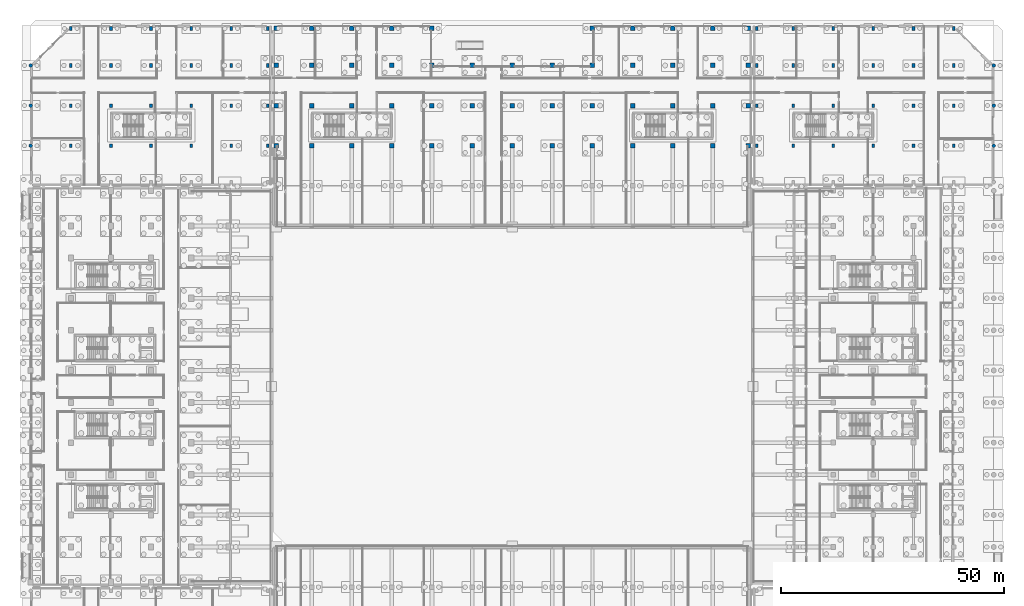
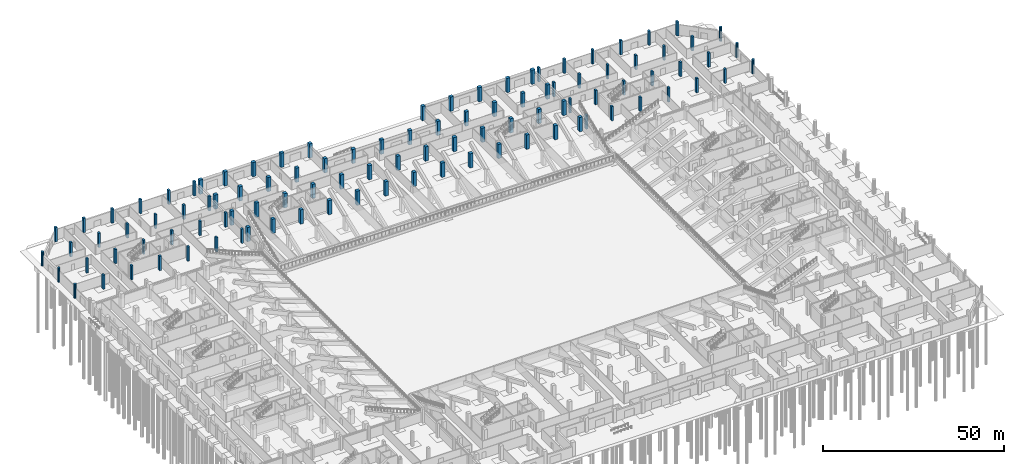
# One storey, part 10 of 53: 103 columns.
"""IFC4 building model written with IfcOpenShell, lengths in metres."""

from ifc_helpers import new_model, si_unit, direction, frame, origin, origin_2d, place, context, subcontext, project, spatial, rectangle, circle, extrude, material, material_profile, profile_set, type_object, element, save


model = new_model("IFC4")

# Units and contexts
model_context = context("Model", 3, precision=1e-05, world=origin(), true_north=direction((0.0, 1.0)))
body_context = subcontext(model_context, "Body", "Model", "MODEL_VIEW")
ifc_project = project(units=[si_unit("LENGTHUNIT", "METRE"), si_unit("AREAUNIT", "SQUARE_METRE"), si_unit("VOLUMEUNIT", "CUBIC_METRE"), si_unit("PLANEANGLEUNIT", "RADIAN"), si_unit("MASSUNIT", "GRAM", prefix="KILO"), si_unit("THERMODYNAMICTEMPERATUREUNIT", "KELVIN"), si_unit("POWERUNIT", "WATT")], contexts=[model_context])

# Site, building, storey
site_placement = place(None, origin())
site = spatial("IfcSite", under=ifc_project, at=site_placement, CompositionType="ELEMENT")
building_placement = place(site_placement, origin())
building = spatial("IfcBuilding", under=site, at=building_placement, Name="Sindhuravela Promenade Stadium", CompositionType="ELEMENT")
storey_placement = place(building_placement, origin())
storey = spatial("IfcBuildingStorey", under=building, at=storey_placement, Name="L00", CompositionType="ELEMENT", Elevation=0.0)

# Columns
ifc_material_1 = material(Name="Concrete M50", Category="concrete")
ifc_material_profile_1 = material_profile(ifc_material_1, rectangle(XDim=1.0, YDim=1.0, at=origin_2d()), Name="RC 1000x1000")
ifc_profile_set_1 = profile_set([ifc_material_profile_1], Name="Concrete M50")
column_type_1 = type_object("IfcColumnType", Name="RC-CL-1000x1000", PredefinedType="COLUMN", material=ifc_profile_set_1)
for number, where, z_axis, x_axis, name in (
    (1, (55.10009765625, 135.0, 0.0), (0.0, 0.0, 1.0), (1.0, 0.0, 0.0), "Column C06 NORTH L00"),
    (2, (55.10009765625, 144.0, 0.0), (0.0, 0.0, 1.0), (1.0, 0.0, 0.0), "Column C06 NORTH L00"),
    (3, (55.10009765625, 153.0, 0.0), (0.0, 0.0, 1.0), (1.0, 0.0, 0.0), "Column C06 NORTH L00"),
    (4, (55.10009765625, 161.300048828125, 0.0), (0.0, 0.0, 1.0), (1.0, 0.0, 0.0), "Column C06 NORTH L00"),
    (5, (63.0, 135.0, 0.0), (0.0, 0.0, 1.0), (1.0, 0.0, 0.0), "Column C06 NORTH L00"),
    (6, (63.0, 144.0, 0.0), (0.0, 0.0, 1.0), (1.0, 0.0, 0.0), "Column C06 NORTH L00"),
    (7, (63.0, 153.0, 0.0), (0.0, 0.0, 1.0), (1.0, 0.0, 0.0), "Column C06 NORTH L00"),
    (8, (63.0, 161.300048828125, 0.0), (0.0, 0.0, 1.0), (1.0, 0.0, 0.0), "Column C06 NORTH L00"),
    (9, (72.0, 135.0, 0.0), (0.0, 0.0, 1.0), (1.0, 0.0, 0.0), "Column C06 NORTH L00"),
    (10, (72.0, 144.0, 0.0), (0.0, 0.0, 1.0), (1.0, 0.0, 0.0), "Column C06 NORTH L00"),
    (11, (72.0, 153.0, 0.0), (0.0, 0.0, 1.0), (1.0, 0.0, 0.0), "Column C06 NORTH L00"),
    (12, (72.0, 161.300048828125, 0.0), (0.0, 0.0, 1.0), (1.0, 0.0, 0.0), "Column C06 NORTH L00"),
    (13, (81.0, 135.0, 0.0), (0.0, 0.0, 1.0), (1.0, 0.0, 0.0), "Column C06 NORTH L00"),
    (14, (81.0, 144.0, 0.0), (0.0, 0.0, 1.0), (1.0, 0.0, 0.0), "Column C06 NORTH L00"),
    (15, (81.0, 153.0, 0.0), (0.0, 0.0, 1.0), (1.0, 0.0, 0.0), "Column C06 NORTH L00"),
    (16, (81.0, 161.300048828125, 0.0), (0.0, 0.0, 1.0), (1.0, 0.0, 0.0), "Column C06 NORTH L00"),
    (17, (90.0, 135.0, 0.0), (0.0, 0.0, 1.0), (1.0, 0.0, 0.0), "Column C06 NORTH L00"),
    (18, (90.0, 144.0, 0.0), (0.0, 0.0, 1.0), (1.0, 0.0, 0.0), "Column C06 NORTH L00"),
    (19, (90.0, 153.0, 0.0), (0.0, 0.0, 1.0), (1.0, 0.0, 0.0), "Column C06 NORTH L00"),
    (20, (90.0, 161.300048828125, 0.0), (0.0, 0.0, 1.0), (1.0, 0.0, 0.0), "Column C06 NORTH L00"),
    (21, (99.0, 135.0, 0.0), (0.0, 0.0, 1.0), (1.0, 0.0, 0.0), "Column C06 NORTH L00"),
    (22, (99.0, 144.0, 0.0), (0.0, 0.0, 1.0), (1.0, 0.0, 0.0), "Column C06 NORTH L00"),
    (23, (99.0, 153.0, 0.0), (0.0, 0.0, 1.0), (1.0, 0.0, 0.0), "Column C06 NORTH L00"),
    (24, (108.0, 135.0, 0.0), (0.0, 0.0, 1.0), (1.0, 0.0, 0.0), "Column C06 NORTH L00"),
    (25, (108.0, 144.0, 0.0), (0.0, 0.0, 1.0), (1.0, 0.0, 0.0), "Column C06 NORTH L00"),
    (26, (108.0, 153.0, 0.0), (0.0, 0.0, 1.0), (1.0, 0.0, 0.0), "Column C06 NORTH L00"),
    (27, (117.0, 135.0, 0.0), (0.0, 0.0, 1.0), (1.0, 0.0, 0.0), "Column C06 NORTH L00"),
    (28, (117.0, 144.0, 0.0), (0.0, 0.0, 1.0), (1.0, 0.0, 0.0), "Column C06 NORTH L00"),
    (29, (117.0, 153.0, 0.0), (0.0, 0.0, 1.0), (1.0, 0.0, 0.0), "Column C06 NORTH L00"),
    (30, (126.0, 135.0, 0.0), (0.0, 0.0, 1.0), (1.0, 0.0, 0.0), "Column C06 NORTH L00"),
    (31, (126.0, 144.0, 0.0), (0.0, 0.0, 1.0), (1.0, 0.0, 0.0), "Column C06 NORTH L00"),
    (32, (126.0, 153.0, 0.0), (0.0, 0.0, 1.0), (1.0, 0.0, 0.0), "Column C06 NORTH L00"),
    (33, (126.0, 161.300048828125, 0.0), (0.0, 0.0, 1.0), (1.0, 0.0, 0.0), "Column C06 NORTH L00"),
    (34, (135.0, 135.0, 0.0), (0.0, 0.0, 1.0), (1.0, 0.0, 0.0), "Column C06 NORTH L00"),
    (35, (135.0, 144.0, 0.0), (0.0, 0.0, 1.0), (1.0, 0.0, 0.0), "Column C06 NORTH L00"),
    (36, (135.0, 153.0, 0.0), (0.0, 0.0, 1.0), (1.0, 0.0, 0.0), "Column C06 NORTH L00"),
    (37, (135.0, 161.300048828125, 0.0), (0.0, 0.0, 1.0), (1.0, 0.0, 0.0), "Column C06 NORTH L00"),
    (38, (144.0, 135.0, 0.0), (0.0, 0.0, 1.0), (1.0, 0.0, 0.0), "Column C06 NORTH L00"),
    (39, (144.0, 144.0, 0.0), (0.0, 0.0, 1.0), (1.0, 0.0, 0.0), "Column C06 NORTH L00"),
    (40, (144.0, 153.0, 0.0), (0.0, 0.0, 1.0), (1.0, 0.0, 0.0), "Column C06 NORTH L00"),
    (41, (144.0, 161.300048828125, 0.0), (0.0, 0.0, 1.0), (1.0, 0.0, 0.0), "Column C06 NORTH L00"),
    (42, (153.0, 135.0, 0.0), (0.0, 0.0, 1.0), (1.0, 0.0, 0.0), "Column C06 NORTH L00"),
    (43, (153.0, 144.0, 0.0), (0.0, 0.0, 1.0), (1.0, 0.0, 0.0), "Column C06 NORTH L00"),
    (44, (153.0, 153.0, 0.0), (0.0, 0.0, 1.0), (1.0, 0.0, 0.0), "Column C06 NORTH L00"),
    (45, (153.0, 161.300048828125, 0.0), (0.0, 0.0, 1.0), (1.0, 0.0, 0.0), "Column C06 NORTH L00"),
    (46, (160.89990234375, 135.0, 0.0), (0.0, 0.0, 1.0), (1.0, 0.0, 0.0), "Column C06 NORTH L00"),
    (47, (160.89990234375, 144.0, 0.0), (0.0, 0.0, 1.0), (1.0, 0.0, 0.0), "Column C06 NORTH L00"),
    (48, (160.89990234375, 153.0, 0.0), (0.0, 0.0, 1.0), (1.0, 0.0, 0.0), "Column C06 NORTH L00"),
    (49, (160.89990234375, 161.300048828125, 0.0), (0.0, 0.0, 1.0), (1.0, 0.0, 0.0), "Column C06 NORTH L00"),
):
    element("IfcColumn", number, at=place(storey_placement, frame(where, z_axis=z_axis, x_axis=x_axis)), inside=storey, type_object=column_type_1, Name=name, PredefinedType="COLUMN", context=body_context, shape_type="SweptSolid", body=[
        extrude(rectangle(XDim=1.0, YDim=1.0, at=origin_2d()), origin(), (0.0, 0.0, 1.0), 4.800048828125),
    ])
ifc_material_2 = material(Name="Concrete M40", Category="concrete")
ifc_material_profile_2 = material_profile(ifc_material_2, rectangle(XDim=0.60009765625, YDim=0.800048828125, at=origin_2d()), Name="RC 600x800")
ifc_profile_set_2 = profile_set([ifc_material_profile_2], Name="Concrete M40")
column_type_2 = type_object("IfcColumnType", Name="RC-CL-600x800", PredefinedType="COLUMN", material=ifc_profile_set_2)
for number, where, z_axis, x_axis, name in (
    (50, (9.0, 135.0, 0.0), (0.0, 0.0, 1.0), (1.0, 0.0, 0.0), "Column C16 Pavilion NW L00"),
    (51, (9.0, 144.0, 0.0), (0.0, 0.0, 1.0), (1.0, 0.0, 0.0), "Column C16 Pavilion NW L00"),
    (52, (9.0, 153.0, 0.0), (0.0, 0.0, 1.0), (1.0, 0.0, 0.0), "Column C16 Pavilion NW L00"),
    (53, (9.0, 161.300048828125, 0.0), (0.0, 0.0, 1.0), (1.0, 0.0, 0.0), "Column C16 Pavilion NW L00"),
    (54, (18.0, 135.0, 0.0), (0.0, 0.0, 1.0), (1.0, 0.0, 0.0), "Column C16 Pavilion NW L00"),
    (55, (18.0, 144.0, 0.0), (0.0, 0.0, 1.0), (1.0, 0.0, 0.0), "Column C16 Pavilion NW L00"),
    (56, (18.0, 153.0, 0.0), (0.0, 0.0, 1.0), (1.0, 0.0, 0.0), "Column C16 Pavilion NW L00"),
    (57, (18.0, 161.300048828125, 0.0), (0.0, 0.0, 1.0), (1.0, 0.0, 0.0), "Column C16 Pavilion NW L00"),
    (58, (27.0, 135.0, 0.0), (0.0, 0.0, 1.0), (1.0, 0.0, 0.0), "Column C16 Pavilion NW L00"),
    (59, (27.0, 144.0, 0.0), (0.0, 0.0, 1.0), (1.0, 0.0, 0.0), "Column C16 Pavilion NW L00"),
    (60, (27.0, 153.0, 0.0), (0.0, 0.0, 1.0), (1.0, 0.0, 0.0), "Column C16 Pavilion NW L00"),
    (61, (27.0, 161.300048828125, 0.0), (0.0, 0.0, 1.0), (1.0, 0.0, 0.0), "Column C16 Pavilion NW L00"),
    (62, (36.0, 135.0, 0.0), (0.0, 0.0, 1.0), (1.0, 0.0, 0.0), "Column C16 Pavilion NW L00"),
    (63, (36.0, 144.0, 0.0), (0.0, 0.0, 1.0), (1.0, 0.0, 0.0), "Column C16 Pavilion NW L00"),
    (64, (36.0, 153.0, 0.0), (0.0, 0.0, 1.0), (1.0, 0.0, 0.0), "Column C16 Pavilion NW L00"),
    (65, (36.0, 161.300048828125, 0.0), (0.0, 0.0, 1.0), (1.0, 0.0, 0.0), "Column C16 Pavilion NW L00"),
    (66, (45.0, 135.0, 0.0), (0.0, 0.0, 1.0), (1.0, 0.0, 0.0), "Column C16 Pavilion NW L00"),
    (67, (45.0, 144.0, 0.0), (0.0, 0.0, 1.0), (1.0, 0.0, 0.0), "Column C16 Pavilion NW L00"),
    (68, (45.0, 153.0, 0.0), (0.0, 0.0, 1.0), (1.0, 0.0, 0.0), "Column C16 Pavilion NW L00"),
    (69, (45.0, 161.300048828125, 0.0), (0.0, 0.0, 1.0), (1.0, 0.0, 0.0), "Column C16 Pavilion NW L00"),
    (70, (53.14990234375, 135.0, 0.0), (0.0, 0.0, 1.0), (1.0, 0.0, 0.0), "Column C16 Pavilion NW L00"),
    (71, (53.14990234375, 144.0, 0.0), (0.0, 0.0, 1.0), (1.0, 0.0, 0.0), "Column C16 Pavilion NW L00"),
    (72, (53.14990234375, 153.0, 0.0), (0.0, 0.0, 1.0), (1.0, 0.0, 0.0), "Column C16 Pavilion NW L00"),
    (73, (53.14990234375, 161.300048828125, 0.0), (0.0, 0.0, 1.0), (1.0, 0.0, 0.0), "Column C16 Pavilion NW L00"),
    (74, (162.85009765625, 135.0, 0.0), (0.0, 0.0, 1.0), (1.0, 0.0, 0.0), "Column C16 Pavilion NE L00"),
    (75, (162.85009765625, 144.0, 0.0), (0.0, 0.0, 1.0), (1.0, 0.0, 0.0), "Column C16 Pavilion NE L00"),
    (76, (162.85009765625, 153.0, 0.0), (0.0, 0.0, 1.0), (1.0, 0.0, 0.0), "Column C16 Pavilion NE L00"),
    (77, (162.85009765625, 161.300048828125, 0.0), (0.0, 0.0, 1.0), (1.0, 0.0, 0.0), "Column C16 Pavilion NE L00"),
    (78, (171.0, 135.0, 0.0), (0.0, 0.0, 1.0), (1.0, 0.0, 0.0), "Column C16 Pavilion NE L00"),
    (79, (171.0, 144.0, 0.0), (0.0, 0.0, 1.0), (1.0, 0.0, 0.0), "Column C16 Pavilion NE L00"),
    (80, (171.0, 153.0, 0.0), (0.0, 0.0, 1.0), (1.0, 0.0, 0.0), "Column C16 Pavilion NE L00"),
    (81, (171.0, 161.300048828125, 0.0), (0.0, 0.0, 1.0), (1.0, 0.0, 0.0), "Column C16 Pavilion NE L00"),
    (82, (180.0, 135.0, 0.0), (0.0, 0.0, 1.0), (1.0, 0.0, 0.0), "Column C16 Pavilion NE L00"),
    (83, (180.0, 144.0, 0.0), (0.0, 0.0, 1.0), (1.0, 0.0, 0.0), "Column C16 Pavilion NE L00"),
    (84, (180.0, 153.0, 0.0), (0.0, 0.0, 1.0), (1.0, 0.0, 0.0), "Column C16 Pavilion NE L00"),
    (85, (180.0, 161.300048828125, 0.0), (0.0, 0.0, 1.0), (1.0, 0.0, 0.0), "Column C16 Pavilion NE L00"),
    (86, (189.0, 135.0, 0.0), (0.0, 0.0, 1.0), (1.0, 0.0, 0.0), "Column C16 Pavilion NE L00"),
    (87, (189.0, 144.0, 0.0), (0.0, 0.0, 1.0), (1.0, 0.0, 0.0), "Column C16 Pavilion NE L00"),
    (88, (189.0, 153.0, 0.0), (0.0, 0.0, 1.0), (1.0, 0.0, 0.0), "Column C16 Pavilion NE L00"),
    (89, (189.0, 161.300048828125, 0.0), (0.0, 0.0, 1.0), (1.0, 0.0, 0.0), "Column C16 Pavilion NE L00"),
    (90, (198.0, 135.0, 0.0), (0.0, 0.0, 1.0), (1.0, 0.0, 0.0), "Column C16 Pavilion NE L00"),
    (91, (198.0, 144.0, 0.0), (0.0, 0.0, 1.0), (1.0, 0.0, 0.0), "Column C16 Pavilion NE L00"),
    (92, (198.0, 153.0, 0.0), (0.0, 0.0, 1.0), (1.0, 0.0, 0.0), "Column C16 Pavilion NE L00"),
    (93, (198.0, 161.300048828125, 0.0), (0.0, 0.0, 1.0), (1.0, 0.0, 0.0), "Column C16 Pavilion NE L00"),
    (94, (207.0, 135.0, 0.0), (0.0, 0.0, 1.0), (1.0, 0.0, 0.0), "Column C16 Pavilion NE L00"),
    (95, (207.0, 144.0, 0.0), (0.0, 0.0, 1.0), (1.0, 0.0, 0.0), "Column C16 Pavilion NE L00"),
    (96, (207.0, 153.0, 0.0), (0.0, 0.0, 1.0), (1.0, 0.0, 0.0), "Column C16 Pavilion NE L00"),
    (97, (207.0, 161.300048828125, 0.0), (0.0, 0.0, 1.0), (1.0, 0.0, 0.0), "Column C16 Pavilion NE L00"),
):
    element("IfcColumn", number, at=place(storey_placement, frame(where, z_axis=z_axis, x_axis=x_axis)), inside=storey, type_object=column_type_2, Name=name, PredefinedType="COLUMN", context=body_context, shape_type="SweptSolid", body=[
        extrude(rectangle(XDim=0.60009765625, YDim=0.800048828125, at=origin_2d()), origin(), (0.0, 0.0, 1.0), 4.800048828125),
    ])
ifc_material_profile_3 = material_profile(ifc_material_2, circle(Radius=0.39990234375, at=origin_2d()), Name="RC D800")
ifc_profile_set_3 = profile_set([ifc_material_profile_3], Name="Concrete M40")
column_type_3 = type_object("IfcColumnType", Name="RC-CL-D800", PredefinedType="COLUMN", material=ifc_profile_set_3)
for number, where, z_axis, x_axis, name in (
    (98, (0.0, 135.0, 0.0), (0.0, 0.0, 1.0), (1.0, 0.0, 0.0), "Column CD3 Pavilion NW L00"),
    (99, (0.0, 144.0, 0.0), (0.0, 0.0, 1.0), (1.0, 0.0, 0.0), "Column CD3 Pavilion NW L00"),
    (100, (0.0, 153.0, 0.0), (0.0, 0.0, 1.0), (1.0, 0.0, 0.0), "Column CD3 Pavilion NW L00"),
    (101, (216.0, 135.0, 0.0), (0.0, 0.0, 1.0), (1.0, 0.0, 0.0), "Column CD3 Pavilion NE L00"),
    (102, (216.0, 144.0, 0.0), (0.0, 0.0, 1.0), (1.0, 0.0, 0.0), "Column CD3 Pavilion NE L00"),
    (103, (216.0, 153.0, 0.0), (0.0, 0.0, 1.0), (1.0, 0.0, 0.0), "Column CD3 Pavilion NE L00"),
):
    element("IfcColumn", number, at=place(storey_placement, frame(where, z_axis=z_axis, x_axis=x_axis)), inside=storey, type_object=column_type_3, Name=name, PredefinedType="COLUMN", context=body_context, shape_type="SweptSolid", body=[
        extrude(circle(Radius=0.39990234375, at=origin_2d()), origin(), (0.0, 0.0, 1.0), 4.800048828125),
    ])

save(model, "model.ifc")
